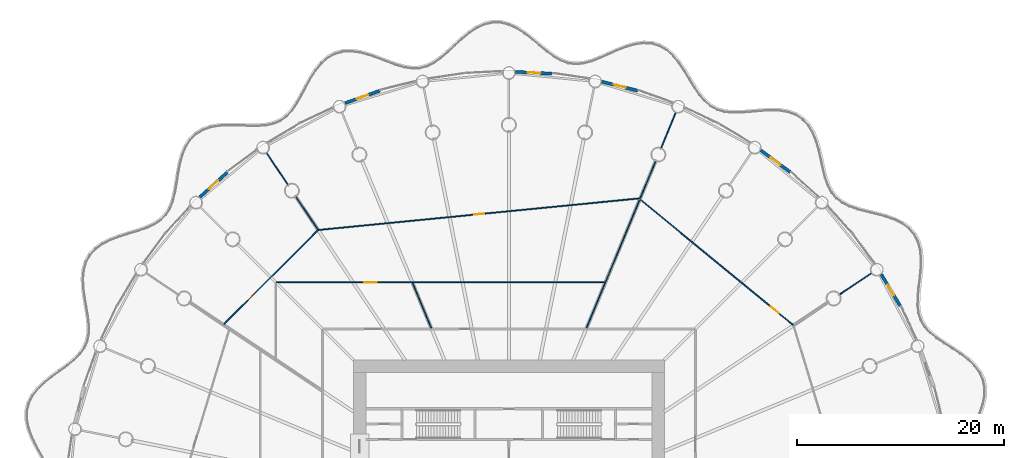
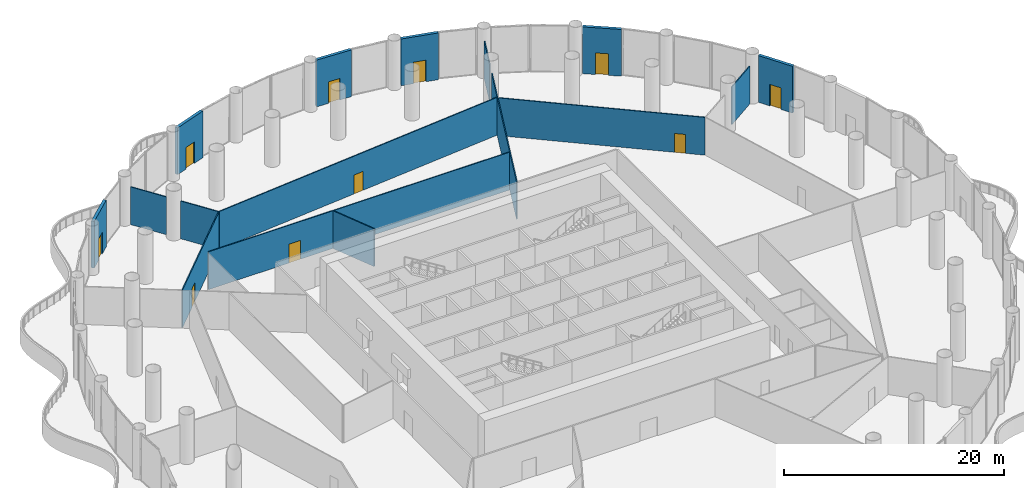
# One storey, part 28 of 37: 17 walls, 10 doors, 10 openings.
"""IFC4 building model written with IfcOpenShell, lengths in metres."""

from ifc_helpers import new_model, si_unit, direction, frame, frame_2d, origin, place, context, subcontext, project, spatial, rectangle, extrude, material, layer, layer_set, type_object, element, fill, save


model = new_model("IFC4")

# Units and contexts
model_context = context("Model", 3, precision=1e-05, world=origin(), true_north=direction((0.0, 1.0)))
body_context = subcontext(model_context, "Body", "Model", "MODEL_VIEW")
ifc_project = project(units=[si_unit("LENGTHUNIT", "METRE"), si_unit("AREAUNIT", "SQUARE_METRE"), si_unit("VOLUMEUNIT", "CUBIC_METRE"), si_unit("PLANEANGLEUNIT", "RADIAN"), si_unit("MASSUNIT", "GRAM", prefix="KILO")], contexts=[model_context])

# Site, building, storey
site_placement = place(None, origin())
site = spatial("IfcSite", under=ifc_project, at=site_placement, CompositionType="ELEMENT")
building_placement = place(site_placement, origin())
building = spatial("IfcBuilding", under=site, at=building_placement, Name="Corvane Civic Tower", CompositionType="ELEMENT")
storey_placement = place(building_placement, frame((0.0, 0.0, 11.5)))
storey = spatial("IfcBuildingStorey", under=building, at=storey_placement, Name="L02", CompositionType="ELEMENT", Elevation=11.5)

# Wall, opening, door
ifc_material_1 = material(Name="Terracotta cladding", Category="masonry")
ifc_layer_1 = layer(ifc_material_1, 0.300048828125)
ifc_layer_set_1 = layer_set([ifc_layer_1], Name="Terracotta cladding")
wall_type_1 = type_object("IfcWallType", Name="PODIUM-W-DRUMDOOR-300", PredefinedType="SOLIDWALL", material=ifc_layer_set_1)
wall_1_placement = place(storey_placement, frame((0.6318359375, 42.81884765625, 0.0), z_axis=(0.0, 0.0, 1.0), x_axis=(0.998793719427, -0.049103014495, 0.0)))
wall_1 = element("IfcWall", 1, at=wall_1_placement, inside=storey, type_object=wall_type_1, Name="L02 drum door bay wall 01", PredefinedType="SOLIDWALL", context=body_context, shape_type="SweptSolid", body=[
    extrude(rectangle(XDim=3.56005859375, YDim=0.300048828125, at=frame_2d((1.780029296875, 0.0))), origin(), (0.0, 0.0, 1.0), 5.199951171875),
])
opening_1_placement = place(wall_1_placement, frame((1.179931640625, 0.0, 0.0)))
opening_1 = element("IfcOpeningElement", 2, at=opening_1_placement, cuts=wall_1, Name="Opening ED-L02-01", PredefinedType="OPENING", context=body_context, shape_type="SweptSolid", body=[
    extrude(rectangle(XDim=1.199951171875, YDim=2.39990234375, at=frame_2d((0.60009765625, 1.199951171875))), frame((0.0, 0.159912109375, 0.0), z_axis=(0.0, -1.0, 0.0), x_axis=(1.0, 0.0, 0.0)), (0.0, 0.0, 1.0), 0.320068359375),
])
ifc_material_2 = material(Name="Anodised aluminium and glass", Category="aluminium")
door_type_1 = type_object("IfcDoorType", Name="PODIUM-D-BALCONY-1200", OperationType="SINGLE_SWING_LEFT", PredefinedType="DOOR", material=ifc_material_2)
door_1_placement = place(opening_1_placement, origin())
door_1 = element("IfcDoor", 3, at=door_1_placement, inside=storey, type_object=door_type_1, Name="L02 balcony door 01", OperationType="SINGLE_SWING_LEFT", OverallHeight=2.39990234375, OverallWidth=1.199951171875, PredefinedType="DOOR", context=body_context, shape_type="SweptSolid", body=[
    extrude(rectangle(XDim=1.199951171875, YDim=2.39990234375, at=frame_2d((0.60009765625, 1.199951171875))), frame((0.0, 0.02490234375, 0.0), z_axis=(0.0, -1.0, 0.0), x_axis=(1.0, 0.0, 0.0)), (0.0, 0.0, 1.0), 0.050048828125),
])
fill(opening_1, door_1)

wall_2_placement = place(storey_placement, frame((8.973388671875, 41.872802734375, 0.0), z_axis=(0.0, 0.0, 1.0), x_axis=(0.970025385974, -0.243003601959, 0.0)))
wall_2 = element("IfcWall", 4, at=wall_2_placement, inside=storey, type_object=wall_type_1, Name="L02 drum door bay wall 02", PredefinedType="SOLIDWALL", context=body_context, shape_type="SweptSolid", body=[
    extrude(rectangle(XDim=3.5595703125, YDim=0.300048828125, at=frame_2d((1.77978515625, 0.0))), origin(), (0.0, 0.0, 1.0), 5.199951171875),
])
opening_2_placement = place(wall_2_placement, frame((1.179931640625, 0.0, 0.0)))
opening_2 = element("IfcOpeningElement", 5, at=opening_2_placement, cuts=wall_2, Name="Opening ED-L02-02", PredefinedType="OPENING", context=body_context, shape_type="SweptSolid", body=[
    extrude(rectangle(XDim=1.199951171875, YDim=2.39990234375, at=frame_2d((0.60009765625, 1.199951171875))), frame((0.0, 0.159912109375, 0.0), z_axis=(0.0, -1.0, 0.0), x_axis=(1.0, 0.0, 0.0)), (0.0, 0.0, 1.0), 0.320068359375),
])
door_2_placement = place(opening_2_placement, origin())
door_2 = element("IfcDoor", 6, at=door_2_placement, inside=storey, type_object=door_type_1, Name="L02 balcony door 02", OperationType="SINGLE_SWING_RIGHT", OverallHeight=2.39990234375, OverallWidth=1.199951171875, PredefinedType="DOOR", context=body_context, shape_type="SweptSolid", body=[
    extrude(rectangle(XDim=1.199951171875, YDim=2.39990234375, at=frame_2d((0.60009765625, 1.199951171875))), frame((0.0, 0.02490234375, 0.0), z_axis=(0.0, -1.0, 0.0), x_axis=(1.0, 0.0, 0.0)), (0.0, 0.0, 1.0), 0.050048828125),
])
fill(opening_2, door_2)

wall_3_placement = place(storey_placement, frame((24.314208984375, 35.25146484375, 0.0), z_axis=(0.0, 0.0, 1.0), x_axis=(0.803190124061, -0.595722774963, 0.0)))
wall_3 = element("IfcWall", 7, at=wall_3_placement, inside=storey, type_object=wall_type_1, Name="L02 drum door bay wall 04", PredefinedType="SOLIDWALL", context=body_context, shape_type="SweptSolid", body=[
    extrude(rectangle(XDim=3.559814453125, YDim=0.300048828125, at=frame_2d((1.77978515625, 0.0))), origin(), (0.0, 0.0, 1.0), 5.199951171875),
])
opening_3_placement = place(wall_3_placement, frame((1.179931640625, 0.0, 0.0)))
opening_3 = element("IfcOpeningElement", 8, at=opening_3_placement, cuts=wall_3, Name="Opening ED-L02-04", PredefinedType="OPENING", context=body_context, shape_type="SweptSolid", body=[
    extrude(rectangle(XDim=1.199951171875, YDim=2.39990234375, at=frame_2d((0.60009765625, 1.199951171875))), frame((0.0, 0.159912109375, 0.0), z_axis=(0.0, -1.0, 0.0), x_axis=(1.0, 0.0, 0.0)), (0.0, 0.0, 1.0), 0.320068359375),
])
door_3_placement = place(opening_3_placement, origin())
door_3 = element("IfcDoor", 9, at=door_3_placement, inside=storey, type_object=door_type_1, Name="L02 balcony door 04", OperationType="SINGLE_SWING_RIGHT", OverallHeight=2.39990234375, OverallWidth=1.199951171875, PredefinedType="DOOR", context=body_context, shape_type="SweptSolid", body=[
    extrude(rectangle(XDim=1.199951171875, YDim=2.39990234375, at=frame_2d((0.60009765625, 1.199951171875))), frame((0.0, 0.02490234375, 0.0), z_axis=(0.0, -1.0, 0.0), x_axis=(1.0, 0.0, 0.0)), (0.0, 0.0, 1.0), 0.050048828125),
])
fill(opening_3, door_3)

wall_4_placement = place(storey_placement, frame((35.95361328125, 23.26318359375, 0.0), z_axis=(0.0, 0.0, 1.0), x_axis=(0.514142680525, -0.85770467182, 0.0)))
wall_4 = element("IfcWall", 10, at=wall_4_placement, inside=storey, type_object=wall_type_1, Name="L02 drum door bay wall 06", PredefinedType="SOLIDWALL", context=body_context, shape_type="SweptSolid", body=[
    extrude(rectangle(XDim=3.5595703125, YDim=0.300048828125, at=frame_2d((1.77978515625, 0.0))), origin(), (0.0, 0.0, 1.0), 5.199951171875),
])
opening_4_placement = place(wall_4_placement, frame((1.179931640625, 0.0, 0.0)))
opening_4 = element("IfcOpeningElement", 11, at=opening_4_placement, cuts=wall_4, Name="Opening ED-L02-06", PredefinedType="OPENING", context=body_context, shape_type="SweptSolid", body=[
    extrude(rectangle(XDim=1.199951171875, YDim=2.39990234375, at=frame_2d((0.60009765625, 1.199951171875))), frame((0.0, 0.159912109375, 0.0), z_axis=(0.0, -1.0, 0.0), x_axis=(1.0, 0.0, 0.0)), (0.0, 0.0, 1.0), 0.320068359375),
])
door_4_placement = place(opening_4_placement, origin())
door_4 = element("IfcDoor", 12, at=door_4_placement, inside=storey, type_object=door_type_1, Name="L02 balcony door 06", OperationType="SINGLE_SWING_RIGHT", OverallHeight=2.39990234375, OverallWidth=1.199951171875, PredefinedType="DOOR", context=body_context, shape_type="SweptSolid", body=[
    extrude(rectangle(XDim=1.199951171875, YDim=2.39990234375, at=frame_2d((0.60009765625, 1.199951171875))), frame((0.0, 0.02490234375, 0.0), z_axis=(0.0, -1.0, 0.0), x_axis=(1.0, 0.0, 0.0)), (0.0, 0.0, 1.0), 0.050048828125),
])
fill(opening_4, door_4)

wall_5_placement = place(storey_placement, frame((-29.83056640625, 30.72412109375, 0.0), z_axis=(0.0, 0.0, 1.0), x_axis=(0.740922965913, 0.671590022694, 0.0)))
wall_5 = element("IfcWall", 13, at=wall_5_placement, inside=storey, type_object=wall_type_1, Name="L02 drum door bay wall 29", PredefinedType="SOLIDWALL", context=body_context, shape_type="SweptSolid", body=[
    extrude(rectangle(XDim=3.56005859375, YDim=0.300048828125, at=frame_2d((1.780029296875, 0.0))), origin(), (0.0, 0.0, 1.0), 5.199951171875),
])
opening_5_placement = place(wall_5_placement, frame((1.179931640625, 0.0, 0.0)))
opening_5 = element("IfcOpeningElement", 14, at=opening_5_placement, cuts=wall_5, Name="Opening ED-L02-29", PredefinedType="OPENING", context=body_context, shape_type="SweptSolid", body=[
    extrude(rectangle(XDim=1.199951171875, YDim=2.39990234375, at=frame_2d((0.60009765625, 1.199951171875))), frame((0.0, 0.159912109375, 0.0), z_axis=(0.0, -1.0, 0.0), x_axis=(1.0, 0.0, 0.0)), (0.0, 0.0, 1.0), 0.320068359375),
])
door_5_placement = place(opening_5_placement, origin())
door_5 = element("IfcDoor", 15, at=door_5_placement, inside=storey, type_object=door_type_1, Name="L02 balcony door 29", OperationType="SINGLE_SWING_LEFT", OverallHeight=2.39990234375, OverallWidth=1.199951171875, PredefinedType="DOOR", context=body_context, shape_type="SweptSolid", body=[
    extrude(rectangle(XDim=1.199951171875, YDim=2.39990234375, at=frame_2d((0.60009765625, 1.199951171875))), frame((0.0, 0.02490234375, 0.0), z_axis=(0.0, -1.0, 0.0), x_axis=(1.0, 0.0, 0.0)), (0.0, 0.0, 1.0), 0.050048828125),
])
fill(opening_5, door_5)

wall_6_placement = place(storey_placement, frame((-15.80224609375, 39.80126953125, 0.0), z_axis=(0.0, 0.0, 1.0), x_axis=(0.941550911926, 0.336870717414, 0.0)))
wall_6 = element("IfcWall", 16, at=wall_6_placement, inside=storey, type_object=wall_type_1, Name="L02 drum door bay wall 31", PredefinedType="SOLIDWALL", context=body_context, shape_type="SweptSolid", body=[
    extrude(rectangle(XDim=3.559814453125, YDim=0.300048828125, at=frame_2d((1.77978515625, 0.0))), origin(), (0.0, 0.0, 1.0), 5.199951171875),
])
opening_6_placement = place(wall_6_placement, frame((1.179931640625, 0.0, 0.0)))
opening_6 = element("IfcOpeningElement", 17, at=opening_6_placement, cuts=wall_6, Name="Opening ED-L02-31", PredefinedType="OPENING", context=body_context, shape_type="SweptSolid", body=[
    extrude(rectangle(XDim=1.199951171875, YDim=2.39990234375, at=frame_2d((0.60009765625, 1.199951171875))), frame((0.0, 0.159912109375, 0.0), z_axis=(0.0, -1.0, 0.0), x_axis=(1.0, 0.0, 0.0)), (0.0, 0.0, 1.0), 0.320068359375),
])
door_6_placement = place(opening_6_placement, origin())
door_6 = element("IfcDoor", 18, at=door_6_placement, inside=storey, type_object=door_type_1, Name="L02 balcony door 31", OperationType="SINGLE_SWING_LEFT", OverallHeight=2.39990234375, OverallWidth=1.199951171875, PredefinedType="DOOR", context=body_context, shape_type="SweptSolid", body=[
    extrude(rectangle(XDim=1.199951171875, YDim=2.39990234375, at=frame_2d((0.60009765625, 1.199951171875))), frame((0.0, 0.02490234375, 0.0), z_axis=(0.0, -1.0, 0.0), x_axis=(1.0, 0.0, 0.0)), (0.0, 0.0, 1.0), 0.050048828125),
])
fill(opening_6, door_6)

# Walls
ifc_material_3 = material(Name="Plasterboard")
ifc_layer_2 = layer(ifc_material_3, 0.10009765625)
ifc_layer_set_2 = layer_set([ifc_layer_2], Name="Plasterboard")
wall_type_2 = type_object("IfcWallType", Name="Partition 100 plasterboard on studs", PredefinedType="PARTITIONING", material=ifc_layer_set_2)
wall_7_placement = place(storey_placement, frame((-9.291259765625, 22.430908203125, 0.0), z_axis=(0.0, 0.0, 1.0), x_axis=(0.38267944941, -0.923881182295, 0.0)))
element("IfcWall", 19, at=wall_7_placement, inside=storey, type_object=wall_type_2, Name="Partition L02.037", PredefinedType="PARTITIONING", context=body_context, shape_type="SweptSolid", body=[
    extrude(rectangle(XDim=4.6943359375, YDim=0.10009765625, at=frame_2d((2.34716796875, 0.0))), origin(), (0.0, 0.0, 1.0), 4.199951171875),
])
wall_8_placement = place(storey_placement, frame((7.494873046875, 18.093994140625, 0.0), z_axis=(0.0, 0.0, 1.0), x_axis=(0.3826813253, 0.923880405284, 0.0)))
element("IfcWall", 20, at=wall_8_placement, inside=storey, type_object=wall_type_2, Name="Partition L02.038", PredefinedType="PARTITIONING", context=body_context, shape_type="SweptSolid", body=[
    extrude(rectangle(XDim=13.3701171875, YDim=0.10009765625, at=frame_2d((6.68505859375, 0.0))), origin(), (0.0, 0.0, 1.0), 4.199951171875),
])

# Wall, opening, door
wall_9_placement = place(storey_placement, frame((12.6953125, 30.480712890625, 0.0), z_axis=(0.0, 0.0, 1.0), x_axis=(0.773014471993, -0.634388387416, 0.0)))
wall_9 = element("IfcWall", 21, at=wall_9_placement, inside=storey, type_object=wall_type_2, Name="Partition L02.039", PredefinedType="PARTITIONING", context=body_context, shape_type="SweptSolid", body=[
    extrude(rectangle(XDim=19.07666015625, YDim=0.10009765625, at=frame_2d((9.538330078125, 0.0))), origin(), (0.0, 0.0, 1.0), 4.199951171875),
])
opening_7_placement = place(wall_9_placement, frame((16.2666015625, 0.0, 0.0)))
opening_7 = element("IfcOpeningElement", 22, at=opening_7_placement, cuts=wall_9, Name="Opening L02.007", PredefinedType="OPENING", context=body_context, shape_type="SweptSolid", body=[
    extrude(rectangle(XDim=1.0, YDim=2.10009765625, at=frame_2d((0.5, 1.050048828125))), frame((0.0, 0.06005859375, 0.0), z_axis=(0.0, -1.0, 0.0), x_axis=(1.0, 0.0, 0.0)), (0.0, 0.0, 1.0), 0.1201171875),
])
ifc_material_4 = material(Name="Timber", Category="wood")
door_type_2 = type_object("IfcDoorType", Name="Single door 1000", OperationType="NOTDEFINED", PredefinedType="DOOR", material=ifc_material_4)
door_7_placement = place(opening_7_placement, origin())
door_7 = element("IfcDoor", 23, at=door_7_placement, inside=storey, type_object=door_type_2, Name="Door L02.007", OperationType="SINGLE_SWING_LEFT", OverallHeight=2.10009765625, OverallWidth=1.0, PredefinedType="DOOR", context=body_context, shape_type="SweptSolid", body=[
    extrude(rectangle(XDim=1.0, YDim=2.10009765625, at=frame_2d((0.5, 1.050048828125))), frame((0.0, 0.02490234375, 0.0), z_axis=(0.0, -1.0, 0.0), x_axis=(1.0, 0.0, 0.0)), (0.0, 0.0, 1.0), 0.050048828125),
])
fill(opening_7, door_7)

wall_10_placement = place(storey_placement, frame((-27.510498046875, 18.453857421875, 0.0), z_axis=(0.0, 0.0, 1.0), x_axis=(0.707106781187, 0.707106781187, 0.0)))
wall_10 = element("IfcWall", 24, at=wall_10_placement, inside=storey, type_object=wall_type_2, Name="Partition L02.041", PredefinedType="PARTITIONING", context=body_context, shape_type="SweptSolid", body=[
    extrude(rectangle(XDim=12.828125, YDim=0.10009765625, at=frame_2d((6.4140625, 0.0))), origin(), (0.0, 0.0, 1.0), 4.199951171875),
])
opening_8_placement = place(wall_10_placement, frame((3.26416015625, 0.0, 0.0)))
opening_8 = element("IfcOpeningElement", 25, at=opening_8_placement, cuts=wall_10, Name="Opening L02.002", PredefinedType="OPENING", context=body_context, shape_type="SweptSolid", body=[
    extrude(rectangle(XDim=1.0, YDim=2.10009765625, at=frame_2d((0.5, 1.050048828125))), frame((0.0, 0.06005859375, 0.0), z_axis=(0.0, -1.0, 0.0), x_axis=(1.0, 0.0, 0.0)), (0.0, 0.0, 1.0), 0.1201171875),
])
door_8_placement = place(opening_8_placement, origin())
door_8 = element("IfcDoor", 26, at=door_8_placement, inside=storey, type_object=door_type_2, Name="Door L02.002", OperationType="SINGLE_SWING_RIGHT", OverallHeight=2.10009765625, OverallWidth=1.0, PredefinedType="DOOR", context=body_context, shape_type="SweptSolid", body=[
    extrude(rectangle(XDim=1.0, YDim=2.10009765625, at=frame_2d((0.5, 1.050048828125))), frame((0.0, 0.02490234375, 0.0), z_axis=(0.0, -1.0, 0.0), x_axis=(1.0, 0.0, 0.0)), (0.0, 0.0, 1.0), 0.050048828125),
])
fill(opening_8, door_8)

# Wall
wall_11_placement = place(storey_placement, frame((31.936767578125, 21.339599609375, 0.0), z_axis=(0.0, 0.0, 1.0), x_axis=(0.831508927146, 0.555511389691, 0.0)))
element("IfcWall", 27, at=wall_11_placement, inside=storey, type_object=wall_type_2, Name="Partition L02.043", PredefinedType="PARTITIONING", context=body_context, shape_type="SweptSolid", body=[
    extrude(rectangle(XDim=3.679931640625, YDim=0.10009765625, at=frame_2d((1.83984375, 0.0))), origin(), (0.0, 0.0, 1.0), 4.199951171875),
])

# Wall, opening, door
wall_12_placement = place(storey_placement, frame((-22.449951171875, 22.5, 0.0), z_axis=(0.0, 0.0, 1.0), x_axis=(1.0, 0.0, 0.0)))
wall_12 = element("IfcWall", 28, at=wall_12_placement, inside=storey, type_object=wall_type_2, Name="Partition L02.044", PredefinedType="PARTITIONING", context=body_context, shape_type="SweptSolid", body=[
    extrude(rectangle(XDim=31.695068359375, YDim=0.10009765625, at=frame_2d((15.84765625, 0.0))), origin(), (0.0, 0.0, 1.0), 4.199951171875),
])
opening_9_placement = place(wall_12_placement, frame((8.50048828125, 0.0, 0.0)))
opening_9 = element("IfcOpeningElement", 29, at=opening_9_placement, cuts=wall_12, Name="Opening L02.004", PredefinedType="OPENING", context=body_context, shape_type="SweptSolid", body=[
    extrude(rectangle(XDim=1.199951171875, YDim=2.10009765625, at=frame_2d((0.60009765625, 1.050048828125))), frame((0.0, 0.06005859375, 0.0), z_axis=(0.0, -1.0, 0.0), x_axis=(1.0, 0.0, 0.0)), (0.0, 0.0, 1.0), 0.1201171875),
])
ifc_material_5 = material(Name="Timber", Category="wood")
door_type_3 = type_object("IfcDoorType", Name="Double door 1200", OperationType="NOTDEFINED", PredefinedType="DOOR", material=ifc_material_5)
door_9_placement = place(opening_9_placement, origin())
door_9 = element("IfcDoor", 30, at=door_9_placement, inside=storey, type_object=door_type_3, Name="Door L02.004", OperationType="DOUBLE_DOOR_SINGLE_SWING", OverallHeight=2.10009765625, OverallWidth=1.199951171875, PredefinedType="DOOR", context=body_context, shape_type="SweptSolid", body=[
    extrude(rectangle(XDim=1.199951171875, YDim=2.10009765625, at=frame_2d((0.60009765625, 1.050048828125))), frame((0.0, 0.02490234375, 0.0), z_axis=(0.0, -1.0, 0.0), x_axis=(1.0, 0.0, 0.0)), (0.0, 0.0, 1.0), 0.050048828125),
])
fill(opening_9, door_9)

wall_13_placement = place(storey_placement, frame((-18.381103515625, 27.556640625, 0.0), z_axis=(0.0, 0.0, 1.0), x_axis=(0.995185675371, 0.098007507547, 0.0)))
wall_13 = element("IfcWall", 31, at=wall_13_placement, inside=storey, type_object=wall_type_2, Name="Partition L02.045", PredefinedType="PARTITIONING", context=body_context, shape_type="SweptSolid", body=[
    extrude(rectangle(XDim=31.182861328125, YDim=0.10009765625, at=frame_2d((15.59130859375, 0.0))), origin(), (0.0, 0.0, 1.0), 4.199951171875),
])
opening_10_placement = place(wall_13_placement, frame((15.09130859375, 0.0, 0.0)))
opening_10 = element("IfcOpeningElement", 32, at=opening_10_placement, cuts=wall_13, Name="Opening L02.003", PredefinedType="OPENING", context=body_context, shape_type="SweptSolid", body=[
    extrude(rectangle(XDim=1.0, YDim=2.10009765625, at=frame_2d((0.5, 1.050048828125))), frame((0.0, 0.06005859375, 0.0), z_axis=(0.0, -1.0, 0.0), x_axis=(1.0, 0.0, 0.0)), (0.0, 0.0, 1.0), 0.1201171875),
])
door_10_placement = place(opening_10_placement, origin())
door_10 = element("IfcDoor", 33, at=door_10_placement, inside=storey, type_object=door_type_2, Name="Door L02.003", OperationType="SINGLE_SWING_LEFT", OverallHeight=2.10009765625, OverallWidth=1.0, PredefinedType="DOOR", context=body_context, shape_type="SweptSolid", body=[
    extrude(rectangle(XDim=1.0, YDim=2.10009765625, at=frame_2d((0.5, 1.050048828125))), frame((0.0, 0.02490234375, 0.0), z_axis=(0.0, -1.0, 0.0), x_axis=(1.0, 0.0, 0.0)), (0.0, 0.0, 1.0), 0.050048828125),
])
fill(opening_10, door_10)

# Walls
wall_14_placement = place(storey_placement, frame((-20.550537109375, 30.756103515625, 0.0), z_axis=(0.0, 0.0, 1.0), x_axis=(0.555572262469, -0.831468256264, 0.0)))
element("IfcWall", 34, at=wall_14_placement, inside=storey, type_object=wall_type_2, Name="Partition L02.046", PredefinedType="PARTITIONING", context=body_context, shape_type="SweptSolid", body=[
    extrude(rectangle(XDim=3.810302734375, YDim=0.10009765625, at=frame_2d((1.9052734375, 0.0))), origin(), (0.0, 0.0, 1.0), 4.199951171875),
])
wall_15_placement = place(storey_placement, frame((12.69140625, 30.6396484375, 0.0), z_axis=(0.0, 0.0, 1.0), x_axis=(0.382684306239, 0.92387917054, 0.0)))
element("IfcWall", 35, at=wall_15_placement, inside=storey, type_object=wall_type_2, Name="Partition L02.047", PredefinedType="PARTITIONING", context=body_context, shape_type="SweptSolid", body=[
    extrude(rectangle(XDim=3.825927734375, YDim=0.10009765625, at=frame_2d((1.9130859375, 0.0))), origin(), (0.0, 0.0, 1.0), 4.199951171875),
])
wall_16_placement = place(storey_placement, frame((-23.3837890625, 34.99658203125, 0.0), z_axis=(0.0, 0.0, 1.0), x_axis=(0.555511389691, -0.831508927146, 0.0)))
element("IfcWall", 36, at=wall_16_placement, inside=storey, type_object=wall_type_2, Name="Partition L02.048", PredefinedType="PARTITIONING", context=body_context, shape_type="SweptSolid", body=[
    extrude(rectangle(XDim=3.679931640625, YDim=0.10009765625, at=frame_2d((1.83984375, 0.0))), origin(), (0.0, 0.0, 1.0), 4.199951171875),
])
wall_17_placement = place(storey_placement, frame((14.698974609375, 35.486328125, 0.0), z_axis=(0.0, 0.0, 1.0), x_axis=(0.382687744427, 0.923877746385, 0.0)))
element("IfcWall", 37, at=wall_17_placement, inside=storey, type_object=wall_type_2, Name="Partition L02.049", PredefinedType="PARTITIONING", context=body_context, shape_type="SweptSolid", body=[
    extrude(rectangle(XDim=3.6796875, YDim=0.10009765625, at=frame_2d((1.83984375, 0.0))), origin(), (0.0, 0.0, 1.0), 4.199951171875),
])

save(model, "model.ifc")
